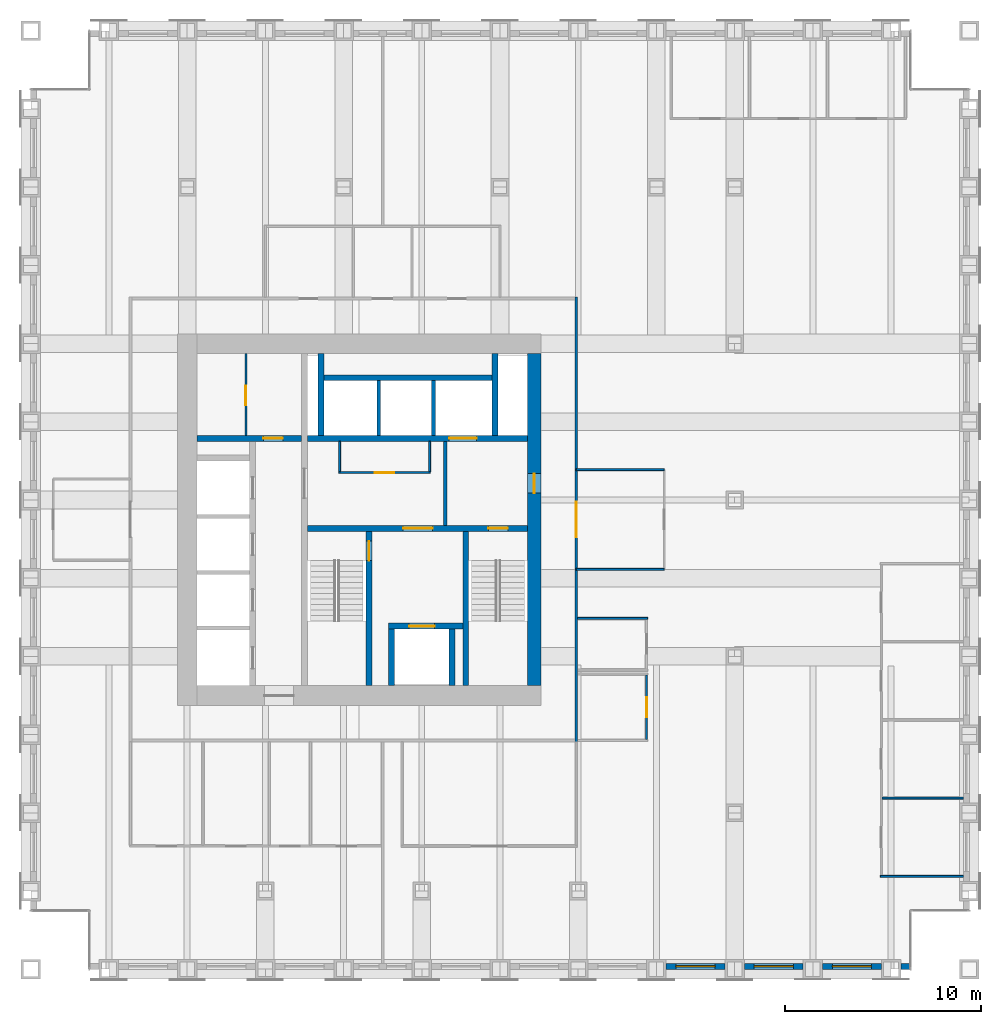
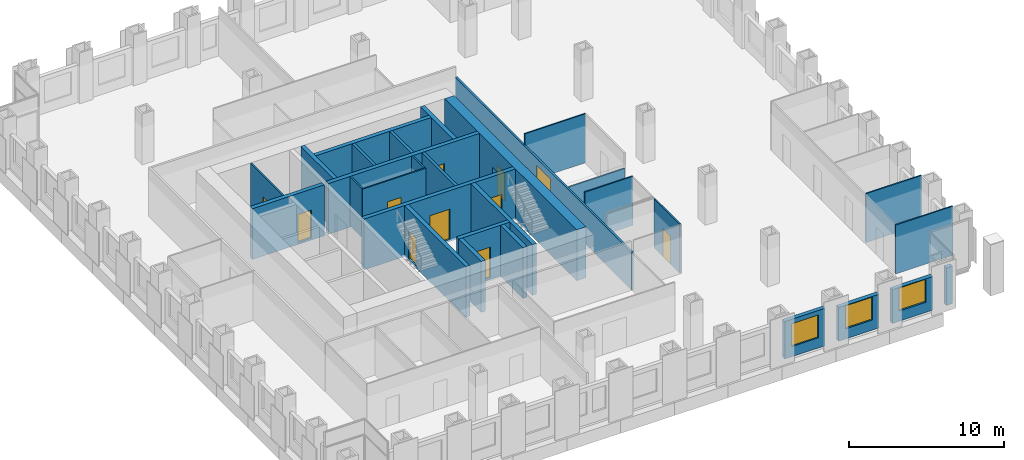
# One storey, part 12 of 16: 30 walls, 11 doors, 3 windows, 14 openings.
"""IFC4 building model written with IfcOpenShell, lengths in metres."""

from ifc_helpers import new_model, si_unit, direction, frame, frame_2d, origin, place, context, subcontext, project, spatial, rectangle, extrude, material, layer, layer_set, type_object, element, fill, save


model = new_model("IFC4")

# Units and contexts
model_context = context("Model", 3, precision=1e-05, world=origin(), true_north=direction((0.0, 1.0)))
body_context = subcontext(model_context, "Body", "Model", "MODEL_VIEW")
ifc_project = project(units=[si_unit("LENGTHUNIT", "METRE"), si_unit("AREAUNIT", "SQUARE_METRE"), si_unit("VOLUMEUNIT", "CUBIC_METRE"), si_unit("PLANEANGLEUNIT", "RADIAN"), si_unit("MASSUNIT", "GRAM", prefix="KILO")], contexts=[model_context])

# Site, building, storey
site_placement = place(None, origin())
site = spatial("IfcSite", under=ifc_project, at=site_placement, CompositionType="ELEMENT")
building_placement = place(site_placement, origin())
building = spatial("IfcBuilding", under=site, at=building_placement, Name="Rimbunsela Tower", CompositionType="ELEMENT")
storey_placement = place(building_placement, frame((0.0, 0.0, 133.39990234375)))
storey = spatial("IfcBuildingStorey", under=building, at=storey_placement, Name="L32", CompositionType="ELEMENT", Elevation=133.39990234375)

# Wall, openings, doors
ifc_material_1 = material(Name="Concrete fc' 80 MPa", Category="concrete")
ifc_layer_1 = layer(ifc_material_1, 0.300048828125)
ifc_layer_set_1 = layer_set([ifc_layer_1], Name="Core internal wall 300")
wall_type_1 = type_object("IfcWallType", Name="Core internal wall 300", PredefinedType="SHEAR", material=ifc_layer_set_1)
wall_1_placement = place(storey_placement, frame((24.14990234375, 26.550048828125, -0.14990234375), z_axis=(0.0, 0.0, 1.0), x_axis=(1.0, 0.0, 0.0)))
wall_1 = element("IfcWall", 1, at=wall_1_placement, inside=storey, type_object=wall_type_1, Name="Core wall lobby south", PredefinedType="SHEAR", context=body_context, shape_type="SweptSolid", body=[
    extrude(rectangle(XDim=11.25, YDim=0.300048828125, at=frame_2d((5.625, 0.0))), origin(), (0.0, 0.0, 1.0), 4.0),
])
opening_1_placement = place(wall_1_placement, frame((9.25, 0.0, 0.14990234375)))
opening_1 = element("IfcOpeningElement", 2, at=opening_1_placement, cuts=wall_1, Name="Opening D01", PredefinedType="OPENING", context=body_context, shape_type="SweptSolid", body=[
    extrude(rectangle(XDim=1.0, YDim=2.199951171875, at=frame_2d((0.5, 1.10009765625))), frame((0.0, 0.159912109375, 0.0), z_axis=(0.0, -1.0, 0.0), x_axis=(1.0, 0.0, 0.0)), (0.0, 0.0, 1.0), 0.320068359375),
])
opening_2_placement = place(wall_1_placement, frame((4.89990234375, 0.0, 0.14990234375)))
opening_2 = element("IfcOpeningElement", 3, at=opening_2_placement, cuts=wall_1, Name="Opening D03", PredefinedType="OPENING", context=body_context, shape_type="SweptSolid", body=[
    extrude(rectangle(XDim=1.5, YDim=2.39990234375, at=frame_2d((0.75, 1.199951171875))), frame((0.0, 0.159912109375, 0.0), z_axis=(0.0, -1.0, 0.0), x_axis=(1.0, 0.0, 0.0)), (0.0, 0.0, 1.0), 0.320068359375),
])
ifc_material_2 = material(Name="Steel door, fire rated", Category="steel")
door_type_1 = type_object("IfcDoorType", Name="Core lobby door 1500", OperationType="DOUBLE_DOOR_DOUBLE_SWING", PredefinedType="DOOR", material=ifc_material_2)
door_1_placement = place(opening_2_placement, origin())
door_1 = element("IfcDoor", 4, at=door_1_placement, inside=storey, type_object=door_type_1, Name="Firefighting lobby door", OperationType="DOUBLE_DOOR_DOUBLE_SWING", OverallHeight=2.39990234375, OverallWidth=1.5, PredefinedType="DOOR", context=body_context, shape_type="SweptSolid", body=[
    extrude(rectangle(XDim=1.5, YDim=2.39990234375, at=frame_2d((0.75, 1.199951171875))), frame((0.0, 0.02490234375, 0.0), z_axis=(0.0, -1.0, 0.0), x_axis=(1.0, 0.0, 0.0)), (0.0, 0.0, 1.0), 0.050048828125),
])
fill(opening_2, door_1)
ifc_material_3 = material(Name="Steel door, fire rated", Category="steel")
door_type_2 = type_object("IfcDoorType", Name="Stair door 1000", OperationType="SINGLE_SWING_RIGHT", PredefinedType="DOOR", material=ifc_material_3)
door_2_placement = place(opening_1_placement, frame((1.0, 0.0, 0.0), z_axis=(0.0, 0.0, 1.0), x_axis=(-1.0, 0.0, 0.0)))
door_2 = element("IfcDoor", 5, at=door_2_placement, inside=storey, type_object=door_type_2, Name="Stair B door", OperationType="SINGLE_SWING_RIGHT", OverallHeight=2.199951171875, OverallWidth=1.0, PredefinedType="DOOR", context=body_context, shape_type="SweptSolid", body=[
    extrude(rectangle(XDim=1.0, YDim=2.199951171875, at=frame_2d((0.5, 1.10009765625))), frame((0.0, 0.02490234375, 0.0), z_axis=(0.0, -1.0, 0.0), x_axis=(1.0, 0.0, 0.0)), (0.0, 0.0, 1.0), 0.050048828125),
])
fill(opening_1, door_2)

# Wall, opening, door
wall_2_placement = place(storey_placement, frame((27.300048828125, 18.5, -0.14990234375), z_axis=(0.0, 0.0, 1.0), x_axis=(0.0, 1.0, 0.0)))
wall_2 = element("IfcWall", 6, at=wall_2_placement, inside=storey, type_object=wall_type_1, Name="Stair A enclosure", PredefinedType="SHEAR", context=body_context, shape_type="SweptSolid", body=[
    extrude(rectangle(XDim=7.89990234375, YDim=0.300048828125, at=frame_2d((3.949951171875, 0.0))), origin(), (0.0, 0.0, 1.0), 4.0),
])
opening_3_placement = place(wall_2_placement, frame((6.39990234375, 0.0, 0.14990234375)))
opening_3 = element("IfcOpeningElement", 7, at=opening_3_placement, cuts=wall_2, Name="Opening D01", PredefinedType="OPENING", context=body_context, shape_type="SweptSolid", body=[
    extrude(rectangle(XDim=1.0, YDim=2.199951171875, at=frame_2d((0.5, 1.10009765625))), frame((0.0, 0.159912109375, 0.0), z_axis=(0.0, -1.0, 0.0), x_axis=(1.0, 0.0, 0.0)), (0.0, 0.0, 1.0), 0.320068359375),
])
door_3_placement = place(opening_3_placement, origin())
door_3 = element("IfcDoor", 8, at=door_3_placement, inside=storey, type_object=door_type_2, Name="Stair A door", OperationType="SINGLE_SWING_RIGHT", OverallHeight=2.199951171875, OverallWidth=1.0, PredefinedType="DOOR", context=body_context, shape_type="SweptSolid", body=[
    extrude(rectangle(XDim=1.0, YDim=2.199951171875, at=frame_2d((0.5, 1.10009765625))), frame((0.0, 0.02490234375, 0.0), z_axis=(0.0, -1.0, 0.0), x_axis=(1.0, 0.0, 0.0)), (0.0, 0.0, 1.0), 0.050048828125),
])
fill(opening_3, door_3)

# Walls
wall_3_placement = place(storey_placement, frame((32.25, 18.5, -0.14990234375), z_axis=(0.0, 0.0, 1.0), x_axis=(0.0, 1.0, 0.0)))
element("IfcWall", 9, at=wall_3_placement, inside=storey, type_object=wall_type_1, Name="Stair B enclosure", PredefinedType="SHEAR", context=body_context, shape_type="SweptSolid", body=[
    extrude(rectangle(XDim=7.89990234375, YDim=0.300048828125, at=frame_2d((3.949951171875, 0.0))), origin(), (0.0, 0.0, 1.0), 4.0),
])
for number, where, z_axis, x_axis, name in (
    (10, (28.449951171875, 18.5, -0.14990234375), (0.0, 0.0, 1.0), (0.0, 1.0, 0.0), "Firefighting lift shaft west"),
    (11, (31.550048828125, 18.5, -0.14990234375), (0.0, 0.0, 1.0), (0.0, 1.0, 0.0), "Firefighting lift shaft east"),
):
    element("IfcWall", number, at=place(storey_placement, frame(where, z_axis=z_axis, x_axis=x_axis)), inside=storey, type_object=wall_type_1, Name=name, PredefinedType="SHEAR", context=body_context, shape_type="SweptSolid", body=[
        extrude(rectangle(XDim=2.89990234375, YDim=0.300048828125, at=frame_2d((1.449951171875, 0.0))), origin(), (0.0, 0.0, 1.0), 4.0),
    ])

# Wall, opening, door
wall_4_placement = place(storey_placement, frame((28.300048828125, 21.550048828125, -0.14990234375), z_axis=(0.0, 0.0, 1.0), x_axis=(1.0, 0.0, 0.0)))
wall_4 = element("IfcWall", 12, at=wall_4_placement, inside=storey, type_object=wall_type_1, Name="Firefighting lift shaft front", PredefinedType="SHEAR", context=body_context, shape_type="SweptSolid", body=[
    extrude(rectangle(XDim=3.800048828125, YDim=0.300048828125, at=frame_2d((1.89990234375, 0.0))), origin(), (0.0, 0.0, 1.0), 4.0),
])
opening_4_placement = place(wall_4_placement, frame((1.050048828125, 0.0, 0.14990234375)))
opening_4 = element("IfcOpeningElement", 13, at=opening_4_placement, cuts=wall_4, Name="Opening LD2", PredefinedType="OPENING", context=body_context, shape_type="SweptSolid", body=[
    extrude(rectangle(XDim=1.300048828125, YDim=2.39990234375, at=frame_2d((0.64990234375, 1.199951171875))), frame((0.0, 0.159912109375, 0.0), z_axis=(0.0, -1.0, 0.0), x_axis=(1.0, 0.0, 0.0)), (0.0, 0.0, 1.0), 0.320068359375),
])
ifc_material_4 = material(Name="Steel door, fire rated", Category="steel")
door_type_3 = type_object("IfcDoorType", Name="Lift landing door 1300", OperationType="DOUBLE_DOOR_SLIDING", PredefinedType="DOOR", material=ifc_material_4)
door_4_placement = place(opening_4_placement, origin())
door_4 = element("IfcDoor", 14, at=door_4_placement, inside=storey, type_object=door_type_3, Name="Lift landing door FL1", OperationType="DOUBLE_DOOR_SLIDING", OverallHeight=2.39990234375, OverallWidth=1.300048828125, PredefinedType="DOOR", context=body_context, shape_type="SweptSolid", body=[
    extrude(rectangle(XDim=1.300048828125, YDim=2.39990234375, at=frame_2d((0.64990234375, 1.199951171875))), frame((0.0, 0.02490234375, 0.0), z_axis=(0.0, -1.0, 0.0), x_axis=(1.0, 0.0, 0.0)), (0.0, 0.0, 1.0), 0.050048828125),
])
fill(opening_4, door_4)

wall_5_placement = place(storey_placement, frame((24.14990234375, 31.14990234375, -0.14990234375), z_axis=(0.0, 0.0, 1.0), x_axis=(1.0, 0.0, 0.0)))
wall_5 = element("IfcWall", 15, at=wall_5_placement, inside=storey, type_object=wall_type_1, Name="Lift shaft front north", PredefinedType="SHEAR", context=body_context, shape_type="SweptSolid", body=[
    extrude(rectangle(XDim=11.25, YDim=0.300048828125, at=frame_2d((5.625, 0.0))), origin(), (0.0, 0.0, 1.0), 4.0),
])
opening_5_placement = place(wall_5_placement, frame((7.25, 0.0, 0.14990234375)))
opening_5 = element("IfcOpeningElement", 16, at=opening_5_placement, cuts=wall_5, Name="Opening LD3", PredefinedType="OPENING", context=body_context, shape_type="SweptSolid", body=[
    extrude(rectangle(XDim=1.39990234375, YDim=2.39990234375, at=frame_2d((0.699951171875, 1.199951171875))), frame((0.0, 0.159912109375, 0.0), z_axis=(0.0, -1.0, 0.0), x_axis=(1.0, 0.0, 0.0)), (0.0, 0.0, 1.0), 0.320068359375),
])
ifc_material_5 = material(Name="Steel door, fire rated", Category="steel")
door_type_4 = type_object("IfcDoorType", Name="Lift landing door 1400", OperationType="DOUBLE_DOOR_SLIDING", PredefinedType="DOOR", material=ifc_material_5)
door_5_placement = place(opening_5_placement, origin())
door_5 = element("IfcDoor", 17, at=door_5_placement, inside=storey, type_object=door_type_4, Name="Lift landing door FL2", OperationType="DOUBLE_DOOR_SLIDING", OverallHeight=2.39990234375, OverallWidth=1.39990234375, PredefinedType="DOOR", context=body_context, shape_type="SweptSolid", body=[
    extrude(rectangle(XDim=1.39990234375, YDim=2.39990234375, at=frame_2d((0.699951171875, 1.199951171875))), frame((0.0, 0.02490234375, 0.0), z_axis=(0.0, -1.0, 0.0), x_axis=(1.0, 0.0, 0.0)), (0.0, 0.0, 1.0), 0.050048828125),
])
fill(opening_5, door_5)

wall_6_placement = place(storey_placement, frame((18.5, 31.14990234375, -0.14990234375), z_axis=(0.0, 0.0, 1.0), x_axis=(1.0, 0.0, 0.0)))
wall_6 = element("IfcWall", 18, at=wall_6_placement, inside=storey, type_object=wall_type_1, Name="Store wall", PredefinedType="SHEAR", context=body_context, shape_type="SweptSolid", body=[
    extrude(rectangle(XDim=5.35009765625, YDim=0.300048828125, at=frame_2d((2.675048828125, 0.0))), origin(), (0.0, 0.0, 1.0), 4.0),
])
opening_6_placement = place(wall_6_placement, frame((3.39990234375, 0.0, 0.14990234375)))
opening_6 = element("IfcOpeningElement", 19, at=opening_6_placement, cuts=wall_6, Name="Opening D19", PredefinedType="OPENING", context=body_context, shape_type="SweptSolid", body=[
    extrude(rectangle(XDim=1.0, YDim=2.199951171875, at=frame_2d((0.5, 1.10009765625))), frame((0.0, 0.159912109375, 0.0), z_axis=(0.0, -1.0, 0.0), x_axis=(1.0, 0.0, 0.0)), (0.0, 0.0, 1.0), 0.320068359375),
])
ifc_material_6 = material(Name="Steel door, fire rated", Category="steel")
door_type_5 = type_object("IfcDoorType", Name="Service door 1000 fire rated", OperationType="SINGLE_SWING_LEFT", PredefinedType="DOOR", material=ifc_material_6)
door_6_placement = place(opening_6_placement, origin())
door_6 = element("IfcDoor", 20, at=door_6_placement, inside=storey, type_object=door_type_5, Name="Cleaners store door", OperationType="SINGLE_SWING_LEFT", OverallHeight=2.199951171875, OverallWidth=1.0, PredefinedType="DOOR", context=body_context, shape_type="SweptSolid", body=[
    extrude(rectangle(XDim=1.0, YDim=2.199951171875, at=frame_2d((0.5, 1.10009765625))), frame((0.0, 0.02490234375, 0.0), z_axis=(0.0, -1.0, 0.0), x_axis=(1.0, 0.0, 0.0)), (0.0, 0.0, 1.0), 0.050048828125),
])
fill(opening_6, door_6)

# Walls
for number, where, z_axis, x_axis, name in (
    (21, (24.85009765625, 31.300048828125, -0.14990234375), (0.0, 0.0, 1.0), (0.0, 1.0, 0.0), "Riser wall"),
    (22, (33.75, 31.300048828125, -0.14990234375), (0.0, 0.0, 1.0), (0.0, 1.0, 0.0), "Riser wall"),
):
    element("IfcWall", number, at=place(storey_placement, frame(where, z_axis=z_axis, x_axis=x_axis)), inside=storey, type_object=wall_type_1, Name=name, PredefinedType="SHEAR", context=body_context, shape_type="SweptSolid", body=[
        extrude(rectangle(XDim=4.199951171875, YDim=0.300048828125, at=frame_2d((2.10009765625, 0.0))), origin(), (0.0, 0.0, 1.0), 4.0),
    ])
wall_7_placement = place(storey_placement, frame((25.0, 34.25, -0.14990234375), z_axis=(0.0, 0.0, 1.0), x_axis=(1.0, 0.0, 0.0)))
element("IfcWall", 23, at=wall_7_placement, inside=storey, type_object=wall_type_1, Name="Lift shaft rear north", PredefinedType="SHEAR", context=body_context, shape_type="SweptSolid", body=[
    extrude(rectangle(XDim=8.60009765625, YDim=0.300048828125, at=frame_2d((4.300048828125, 0.0))), origin(), (0.0, 0.0, 1.0), 4.0),
])

# Wall, opening, door
ifc_material_7 = material(Name="Concrete blockwork", Category="masonry")
ifc_layer_2 = layer(ifc_material_7, 0.10009765625)
ifc_layer_set_2 = layer_set([ifc_layer_2], Name="Core room partition 100")
wall_type_2 = type_object("IfcWallType", Name="Core room partition 100", PredefinedType="PARTITIONING", material=ifc_layer_set_2)
wall_8_placement = place(storey_placement, frame((21.0, 31.300048828125, 0.0), z_axis=(0.0, 0.0, 1.0), x_axis=(0.0, 1.0, 0.0)))
wall_8 = element("IfcWall", 24, at=wall_8_placement, inside=storey, type_object=wall_type_2, Name="Equipment store wall", PredefinedType="PARTITIONING", context=body_context, shape_type="SweptSolid", body=[
    extrude(rectangle(XDim=4.199951171875, YDim=0.10009765625, at=frame_2d((2.10009765625, 0.0))), origin(), (0.0, 0.0, 1.0), 3.85009765625),
])
opening_7_placement = place(wall_8_placement, frame((1.550048828125, 0.0, 0.0)))
opening_7 = element("IfcOpeningElement", 25, at=opening_7_placement, cuts=wall_8, Name="Opening D19", PredefinedType="OPENING", context=body_context, shape_type="SweptSolid", body=[
    extrude(rectangle(XDim=1.0, YDim=2.199951171875, at=frame_2d((0.5, 1.10009765625))), frame((0.0, 0.06005859375, 0.0), z_axis=(0.0, -1.0, 0.0), x_axis=(1.0, 0.0, 0.0)), (0.0, 0.0, 1.0), 0.1201171875),
])
door_7_placement = place(opening_7_placement, origin())
door_7 = element("IfcDoor", 26, at=door_7_placement, inside=storey, type_object=door_type_5, Name="Equipment store door", OperationType="SINGLE_SWING_LEFT", OverallHeight=2.199951171875, OverallWidth=1.0, PredefinedType="DOOR", context=body_context, shape_type="SweptSolid", body=[
    extrude(rectangle(XDim=1.0, YDim=2.199951171875, at=frame_2d((0.5, 1.10009765625))), frame((0.0, 0.02490234375, 0.0), z_axis=(0.0, -1.0, 0.0), x_axis=(1.0, 0.0, 0.0)), (0.0, 0.0, 1.0), 0.050048828125),
])
fill(opening_7, door_7)

wall_9_placement = place(storey_placement, frame((25.75, 29.39990234375, 0.0), z_axis=(0.0, 0.0, 1.0), x_axis=(1.0, 0.0, 0.0)))
wall_9 = element("IfcWall", 27, at=wall_9_placement, inside=storey, type_object=wall_type_2, Name="Lobby room wall", PredefinedType="PARTITIONING", context=body_context, shape_type="SweptSolid", body=[
    extrude(rectangle(XDim=4.699951171875, YDim=0.10009765625, at=frame_2d((2.35009765625, 0.0))), origin(), (0.0, 0.0, 1.0), 3.85009765625),
])
opening_8_placement = place(wall_9_placement, frame((1.85009765625, 0.0, 0.0)))
opening_8 = element("IfcOpeningElement", 28, at=opening_8_placement, cuts=wall_9, Name="Opening D19", PredefinedType="OPENING", context=body_context, shape_type="SweptSolid", body=[
    extrude(rectangle(XDim=1.0, YDim=2.199951171875, at=frame_2d((0.5, 1.10009765625))), frame((0.0, 0.06005859375, 0.0), z_axis=(0.0, -1.0, 0.0), x_axis=(1.0, 0.0, 0.0)), (0.0, 0.0, 1.0), 0.1201171875),
])
door_8_placement = place(opening_8_placement, origin())
door_8 = element("IfcDoor", 29, at=door_8_placement, inside=storey, type_object=door_type_5, Name="Staff pantry door", OperationType="SINGLE_SWING_LEFT", OverallHeight=2.199951171875, OverallWidth=1.0, PredefinedType="DOOR", context=body_context, shape_type="SweptSolid", body=[
    extrude(rectangle(XDim=1.0, YDim=2.199951171875, at=frame_2d((0.5, 1.10009765625))), frame((0.0, 0.02490234375, 0.0), z_axis=(0.0, -1.0, 0.0), x_axis=(1.0, 0.0, 0.0)), (0.0, 0.0, 1.0), 0.050048828125),
])
fill(opening_8, door_8)

# Walls
for number, where, z_axis, x_axis, name in (
    (30, (25.800048828125, 29.449951171875, 0.0), (0.0, 0.0, 1.0), (0.0, 1.0, 0.0), "Lobby room wall"),
    (31, (30.39990234375, 29.449951171875, 0.0), (0.0, 0.0, 1.0), (0.0, 1.0, 0.0), "Lobby room wall"),
):
    element("IfcWall", number, at=place(storey_placement, frame(where, z_axis=z_axis, x_axis=x_axis)), inside=storey, type_object=wall_type_2, Name=name, PredefinedType="PARTITIONING", context=body_context, shape_type="SweptSolid", body=[
        extrude(rectangle(XDim=1.550048828125, YDim=0.10009765625, at=frame_2d((0.77490234375, 0.0))), origin(), (0.0, 0.0, 1.0), 3.85009765625),
    ])

# Wall, opening, door
ifc_material_8 = material(Name="Concrete fc' 80 MPa", Category="concrete")
ifc_layer_3 = layer(ifc_material_8, 0.699951171875)
ifc_layer_set_3 = layer_set([ifc_layer_3], Name="Core wall 700 east")
wall_type_3 = type_object("IfcWallType", Name="Core wall 700 east", PredefinedType="SHEAR", material=ifc_layer_set_3)
wall_10_placement = place(storey_placement, frame((35.75, 18.5, -0.14990234375), z_axis=(0.0, 0.0, 1.0), x_axis=(0.0, 1.0, 0.0)))
wall_10 = element("IfcWall", 32, at=wall_10_placement, inside=storey, type_object=wall_type_3, Name="Core wall east", PredefinedType="SHEAR", context=body_context, shape_type="SweptSolid", body=[
    extrude(rectangle(XDim=17.0, YDim=0.699951171875, at=frame_2d((8.5, 0.0))), origin(), (0.0, 0.0, 1.0), 4.0),
])
opening_9_placement = place(wall_10_placement, frame((9.85009765625, 0.0, 0.14990234375)))
opening_9 = element("IfcOpeningElement", 33, at=opening_9_placement, cuts=wall_10, Name="Opening D01", PredefinedType="OPENING", context=body_context, shape_type="SweptSolid", body=[
    extrude(rectangle(XDim=1.0, YDim=2.199951171875, at=frame_2d((0.5, 1.10009765625))), frame((0.0, 0.35986328125, 0.0), z_axis=(0.0, -1.0, 0.0), x_axis=(1.0, 0.0, 0.0)), (0.0, 0.0, 1.0), 0.719970703125),
])
door_9_placement = place(opening_9_placement, origin())
door_9 = element("IfcDoor", 34, at=door_9_placement, inside=storey, type_object=door_type_2, Name="Firefighting lobby 2 door", OperationType="SINGLE_SWING_RIGHT", OverallHeight=2.199951171875, OverallWidth=1.0, PredefinedType="DOOR", context=body_context, shape_type="SweptSolid", body=[
    extrude(rectangle(XDim=1.0, YDim=2.199951171875, at=frame_2d((0.5, 1.10009765625))), frame((0.0, 0.02490234375, 0.0), z_axis=(0.0, -1.0, 0.0), x_axis=(1.0, 0.0, 0.0)), (0.0, 0.0, 1.0), 0.050048828125),
])
fill(opening_9, door_9)

# Walls
ifc_material_9 = material(Name="Concrete blockwork", Category="masonry")
ifc_layer_4 = layer(ifc_material_9, 0.199951171875)
ifc_layer_set_4 = layer_set([ifc_layer_4], Name="Lift shaft wall 200")
wall_type_4 = type_object("IfcWallType", Name="Lift shaft wall 200", PredefinedType="SOLIDWALL", material=ifc_layer_set_4)
for number, where, z_axis, x_axis, name in (
    (35, (27.800048828125, 31.300048828125, -0.14990234375), (0.0, 0.0, 1.0), (0.0, 1.0, 0.0), "Lift shaft separation"),
    (36, (30.60009765625, 31.300048828125, -0.14990234375), (0.0, 0.0, 1.0), (0.0, 1.0, 0.0), "Lift shaft separation"),
):
    element("IfcWall", number, at=place(storey_placement, frame(where, z_axis=z_axis, x_axis=x_axis)), inside=storey, type_object=wall_type_4, Name=name, PredefinedType="SOLIDWALL", context=body_context, shape_type="SweptSolid", body=[
        extrude(rectangle(XDim=2.800048828125, YDim=0.199951171875, at=frame_2d((1.39990234375, 0.0))), origin(), (0.0, 0.0, 1.0), 4.0),
    ])
wall_11_placement = place(storey_placement, frame((31.199951171875, 26.699951171875, 0.0), z_axis=(0.0, 0.0, 1.0), x_axis=(0.0, 1.0, 0.0)))
element("IfcWall", 37, at=wall_11_placement, inside=storey, type_object=wall_type_4, Name="Firefighting lobby 2 wall", PredefinedType="SOLIDWALL", context=body_context, shape_type="SweptSolid", body=[
    extrude(rectangle(XDim=4.300048828125, YDim=0.199951171875, at=frame_2d((2.14990234375, 0.0))), origin(), (0.0, 0.0, 1.0), 3.85009765625),
])
ifc_material_10 = material(Name="Gypsum board on steel studs", Category="steel")
ifc_layer_5 = layer(ifc_material_10, 0.10009765625)
ifc_layer_set_5 = layer_set([ifc_layer_5], Name="Office partition 100")
wall_type_5 = type_object("IfcWallType", Name="Office partition 100", PredefinedType="PARTITIONING", material=ifc_layer_set_5)
wall_12_placement = place(storey_placement, frame((53.449951171875, 8.75, 0.0), z_axis=(0.0, 0.0, 1.0), x_axis=(1.0, 0.0, 0.0)))
element("IfcWall", 38, at=wall_12_placement, inside=storey, type_object=wall_type_5, Name="Office partition", PredefinedType="PARTITIONING", context=body_context, shape_type="SweptSolid", body=[
    extrude(rectangle(XDim=4.25, YDim=0.10009765625, at=frame_2d((2.125, 0.0))), origin(), (0.0, 0.0, 1.0), 3.85009765625),
])
wall_13_placement = place(storey_placement, frame((53.550048828125, 12.75, 0.0), z_axis=(0.0, 0.0, 1.0), x_axis=(1.0, 0.0, 0.0)))
element("IfcWall", 39, at=wall_13_placement, inside=storey, type_object=wall_type_5, Name="Office partition", PredefinedType="PARTITIONING", context=body_context, shape_type="SweptSolid", body=[
    extrude(rectangle(XDim=4.14990234375, YDim=0.10009765625, at=frame_2d((2.074951171875, 0.0))), origin(), (0.0, 0.0, 1.0), 3.85009765625),
])
wall_14_placement = place(storey_placement, frame((37.97509765625, 21.949951171875, 0.0), z_axis=(0.0, 0.0, 1.0), x_axis=(1.0, 0.0, 0.0)))
element("IfcWall", 40, at=wall_14_placement, inside=storey, type_object=wall_type_5, Name="Office partition", PredefinedType="PARTITIONING", context=body_context, shape_type="SweptSolid", body=[
    extrude(rectangle(XDim=3.574951171875, YDim=0.10009765625, at=frame_2d((1.78759765625, 0.0))), origin(), (0.0, 0.0, 1.0), 3.85009765625),
])

# Wall, opening, door
wall_15_placement = place(storey_placement, frame((41.5, 15.75, 0.0), z_axis=(0.0, 0.0, 1.0), x_axis=(0.0, 1.0, 0.0)))
wall_15 = element("IfcWall", 41, at=wall_15_placement, inside=storey, type_object=wall_type_5, Name="Office partition", PredefinedType="PARTITIONING", context=body_context, shape_type="SweptSolid", body=[
    extrude(rectangle(XDim=3.300048828125, YDim=0.10009765625, at=frame_2d((1.64990234375, 0.0))), origin(), (0.0, 0.0, 1.0), 3.85009765625),
])
opening_10_placement = place(wall_15_placement, frame((1.14990234375, 0.0, 0.0)))
opening_10 = element("IfcOpeningElement", 42, at=opening_10_placement, cuts=wall_15, Name="Opening D16", PredefinedType="OPENING", context=body_context, shape_type="SweptSolid", body=[
    extrude(rectangle(XDim=1.0, YDim=2.199951171875, at=frame_2d((0.5, 1.10009765625))), frame((0.0, 0.06005859375, 0.0), z_axis=(0.0, -1.0, 0.0), x_axis=(1.0, 0.0, 0.0)), (0.0, 0.0, 1.0), 0.1201171875),
])
ifc_material_11 = material(Name="Timber door", Category="wood")
door_type_6 = type_object("IfcDoorType", Name="Office door 1000", OperationType="SINGLE_SWING_LEFT", PredefinedType="DOOR", material=ifc_material_11)
door_10_placement = place(opening_10_placement, origin())
door_10 = element("IfcDoor", 43, at=door_10_placement, inside=storey, type_object=door_type_6, Name="Office door", OperationType="SINGLE_SWING_LEFT", OverallHeight=2.199951171875, OverallWidth=1.0, PredefinedType="DOOR", context=body_context, shape_type="SweptSolid", body=[
    extrude(rectangle(XDim=1.0, YDim=2.199951171875, at=frame_2d((0.5, 1.10009765625))), frame((0.0, 0.02490234375, 0.0), z_axis=(0.0, -1.0, 0.0), x_axis=(1.0, 0.0, 0.0)), (0.0, 0.0, 1.0), 0.050048828125),
])
fill(opening_10, door_10)

# Walls
wall_16_placement = place(storey_placement, frame((37.89990234375, 24.449951171875, 0.0), z_axis=(0.0, 0.0, 1.0), x_axis=(1.0, 0.0, 0.0)))
element("IfcWall", 44, at=wall_16_placement, inside=storey, type_object=wall_type_5, Name="Office partition", PredefinedType="PARTITIONING", context=body_context, shape_type="SweptSolid", body=[
    extrude(rectangle(XDim=4.5, YDim=0.10009765625, at=frame_2d((2.25, 0.0))), origin(), (0.0, 0.0, 1.0), 2.650146484375),
])
wall_17_placement = place(storey_placement, frame((42.39990234375, 29.550048828125, 0.0), z_axis=(0.0, 0.0, 1.0), x_axis=(-1.0, 0.0, 0.0)))
element("IfcWall", 45, at=wall_17_placement, inside=storey, type_object=wall_type_5, Name="Office partition", PredefinedType="PARTITIONING", context=body_context, shape_type="SweptSolid", body=[
    extrude(rectangle(XDim=4.5, YDim=0.10009765625, at=frame_2d((2.25, 0.0))), origin(), (0.0, 0.0, 1.0), 3.85009765625),
])

# Wall, opening, window
ifc_material_12 = material(Name="Precast concrete fc' 35 MPa", Category="concrete")
ifc_layer_6 = layer(ifc_material_12, 0.300048828125)
ifc_layer_set_6 = layer_set([ifc_layer_6], Name="Precast concrete fc' 35 MPa")
wall_type_6 = type_object("IfcWallType", Name="Precast facade panel 300", PredefinedType="ELEMENTEDWALL", material=ifc_layer_set_6)
wall_18_placement = place(storey_placement, frame((42.5, 4.14990234375, 0.0), z_axis=(0.0, 0.0, 1.0), x_axis=(1.0, 0.0, 0.0)))
wall_18 = element("IfcWall", 46, at=wall_18_placement, inside=storey, type_object=wall_type_6, Name="Facade panel S L32", PredefinedType="ELEMENTEDWALL", context=body_context, shape_type="SweptSolid", body=[
    extrude(rectangle(XDim=3.0, YDim=0.300048828125, at=frame_2d((1.5, 0.0))), origin(), (0.0, 0.0, 1.0), 2.9501953125),
])
opening_11_placement = place(wall_18_placement, frame((0.5, 0.0, 0.800048828125)))
opening_11 = element("IfcOpeningElement", 47, at=opening_11_placement, cuts=wall_18, Name="Opening W7", PredefinedType="OPENING", context=body_context, shape_type="SweptSolid", body=[
    extrude(rectangle(XDim=2.0, YDim=1.800048828125, at=frame_2d((1.0, 0.89990234375))), frame((0.0, 0.159912109375, 0.0), z_axis=(0.0, -1.0, 0.0), x_axis=(1.0, 0.0, 0.0)), (0.0, 0.0, 1.0), 0.320068359375),
])
ifc_material_13 = material(Name="Clear glass in aluminium frame", Category="aluminium")
window_type = type_object("IfcWindowType", Name="Window W7 2000x1800", PartitioningType="DOUBLE_PANEL_VERTICAL", PredefinedType="WINDOW", material=ifc_material_13)
window_1_placement = place(opening_11_placement, origin())
window_1 = element("IfcWindow", 48, at=window_1_placement, inside=storey, type_object=window_type, Name="Window L32", OverallHeight=1.800048828125, OverallWidth=2.0, PartitioningType="SINGLE_PANEL", PredefinedType="WINDOW", context=body_context, shape_type="SweptSolid", body=[
    extrude(rectangle(XDim=2.0, YDim=1.800048828125, at=frame_2d((1.0, 0.89990234375))), frame((0.0, 0.030029296875, 0.0), z_axis=(0.0, -1.0, 0.0), x_axis=(1.0, 0.0, 0.0)), (0.0, 0.0, 1.0), 0.06005859375),
])
fill(opening_11, window_1)

wall_19_placement = place(storey_placement, frame((46.5, 4.14990234375, 0.0), z_axis=(0.0, 0.0, 1.0), x_axis=(1.0, 0.0, 0.0)))
wall_19 = element("IfcWall", 49, at=wall_19_placement, inside=storey, type_object=wall_type_6, Name="Facade panel S L32", PredefinedType="ELEMENTEDWALL", context=body_context, shape_type="SweptSolid", body=[
    extrude(rectangle(XDim=3.0, YDim=0.300048828125, at=frame_2d((1.5, 0.0))), origin(), (0.0, 0.0, 1.0), 2.650146484375),
])
opening_12_placement = place(wall_19_placement, frame((0.5, 0.0, 0.800048828125)))
opening_12 = element("IfcOpeningElement", 50, at=opening_12_placement, cuts=wall_19, Name="Opening W7", PredefinedType="OPENING", context=body_context, shape_type="SweptSolid", body=[
    extrude(rectangle(XDim=2.0, YDim=1.800048828125, at=frame_2d((1.0, 0.89990234375))), frame((0.0, 0.159912109375, 0.0), z_axis=(0.0, -1.0, 0.0), x_axis=(1.0, 0.0, 0.0)), (0.0, 0.0, 1.0), 0.320068359375),
])
window_2_placement = place(opening_12_placement, origin())
window_2 = element("IfcWindow", 51, at=window_2_placement, inside=storey, type_object=window_type, Name="Window L32", OverallHeight=1.800048828125, OverallWidth=2.0, PartitioningType="SINGLE_PANEL", PredefinedType="WINDOW", context=body_context, shape_type="SweptSolid", body=[
    extrude(rectangle(XDim=2.0, YDim=1.800048828125, at=frame_2d((1.0, 0.89990234375))), frame((0.0, 0.030029296875, 0.0), z_axis=(0.0, -1.0, 0.0), x_axis=(1.0, 0.0, 0.0)), (0.0, 0.0, 1.0), 0.06005859375),
])
fill(opening_12, window_2)

wall_20_placement = place(storey_placement, frame((50.5, 4.14990234375, 0.0), z_axis=(0.0, 0.0, 1.0), x_axis=(1.0, 0.0, 0.0)))
wall_20 = element("IfcWall", 52, at=wall_20_placement, inside=storey, type_object=wall_type_6, Name="Facade panel S L32", PredefinedType="ELEMENTEDWALL", context=body_context, shape_type="SweptSolid", body=[
    extrude(rectangle(XDim=3.0, YDim=0.300048828125, at=frame_2d((1.5, 0.0))), origin(), (0.0, 0.0, 1.0), 2.650146484375),
])
opening_13_placement = place(wall_20_placement, frame((0.5, 0.0, 0.800048828125)))
opening_13 = element("IfcOpeningElement", 53, at=opening_13_placement, cuts=wall_20, Name="Opening W7", PredefinedType="OPENING", context=body_context, shape_type="SweptSolid", body=[
    extrude(rectangle(XDim=2.0, YDim=1.800048828125, at=frame_2d((1.0, 0.89990234375))), frame((0.0, 0.159912109375, 0.0), z_axis=(0.0, -1.0, 0.0), x_axis=(1.0, 0.0, 0.0)), (0.0, 0.0, 1.0), 0.320068359375),
])
window_3_placement = place(opening_13_placement, origin())
window_3 = element("IfcWindow", 54, at=window_3_placement, inside=storey, type_object=window_type, Name="Window L32", OverallHeight=1.800048828125, OverallWidth=2.0, PartitioningType="SINGLE_PANEL", PredefinedType="WINDOW", context=body_context, shape_type="SweptSolid", body=[
    extrude(rectangle(XDim=2.0, YDim=1.800048828125, at=frame_2d((1.0, 0.89990234375))), frame((0.0, 0.030029296875, 0.0), z_axis=(0.0, -1.0, 0.0), x_axis=(1.0, 0.0, 0.0)), (0.0, 0.0, 1.0), 0.06005859375),
])
fill(opening_13, window_3)

# Wall
wall_21_placement = place(storey_placement, frame((54.5, 4.14990234375, 0.0), z_axis=(0.0, 0.0, 1.0), x_axis=(1.0, 0.0, 0.0)))
element("IfcWall", 55, at=wall_21_placement, inside=storey, type_object=wall_type_6, Name="Facade panel S L32", PredefinedType="ELEMENTEDWALL", context=body_context, shape_type="SweptSolid", body=[
    extrude(rectangle(XDim=0.469970703125, YDim=0.300048828125, at=frame_2d((0.23486328125, 0.0))), origin(), (0.0, 0.0, 1.0), 2.9501953125),
])

# Wall, opening, door
ifc_material_14 = material(Name="Fire-rated gypsum board on steel studs, EI 60", Category="steel")
ifc_layer_7 = layer(ifc_material_14, 0.14990234375)
ifc_layer_set_7 = layer_set([ifc_layer_7], Name="Rated corridor wall 150")
wall_type_7 = type_object("IfcWallType", Name="Rated corridor wall 150", PredefinedType="PARTITIONING", material=ifc_layer_set_7)
wall_22_placement = place(storey_placement, frame((37.89990234375, 15.625, 0.0), z_axis=(0.0, 0.0, 1.0), x_axis=(0.0, 1.0, 0.0)))
wall_22 = element("IfcWall", 56, at=wall_22_placement, inside=storey, type_object=wall_type_7, Name="Corridor wall east", PredefinedType="PARTITIONING", context=body_context, shape_type="SweptSolid", body=[
    extrude(rectangle(XDim=22.75, YDim=0.14990234375, at=frame_2d((11.375, 0.0))), origin(), (0.0, 0.0, 1.0), 2.9501953125),
])
opening_14_placement = place(wall_22_placement, frame((10.47509765625, 0.0, 0.0)))
opening_14 = element("IfcOpeningElement", 57, at=opening_14_placement, cuts=wall_22, Name="Opening D09", PredefinedType="OPENING", context=body_context, shape_type="SweptSolid", body=[
    extrude(rectangle(XDim=1.800048828125, YDim=2.39990234375, at=frame_2d((0.89990234375, 1.199951171875))), frame((0.0, 0.0849609375, 0.0), z_axis=(0.0, -1.0, 0.0), x_axis=(1.0, 0.0, 0.0)), (0.0, 0.0, 1.0), 0.169921875),
])
ifc_material_15 = material(Name="Glazed aluminium door, fire rated", Category="aluminium")
door_type_7 = type_object("IfcDoorType", Name="Tenancy door 1800 glazed", OperationType="DOUBLE_DOOR_DOUBLE_SWING", PredefinedType="DOOR", material=ifc_material_15)
door_11_placement = place(opening_14_placement, origin())
door_11 = element("IfcDoor", 58, at=door_11_placement, inside=storey, type_object=door_type_7, Name="Tenancy door", OperationType="DOUBLE_DOOR_DOUBLE_SWING", OverallHeight=2.39990234375, OverallWidth=1.800048828125, PredefinedType="DOOR", context=body_context, shape_type="SweptSolid", body=[
    extrude(rectangle(XDim=1.800048828125, YDim=2.39990234375, at=frame_2d((0.89990234375, 1.199951171875))), frame((0.0, 0.02490234375, 0.0), z_axis=(0.0, -1.0, 0.0), x_axis=(1.0, 0.0, 0.0)), (0.0, 0.0, 1.0), 0.050048828125),
])
fill(opening_14, door_11)

save(model, "model.ifc")
